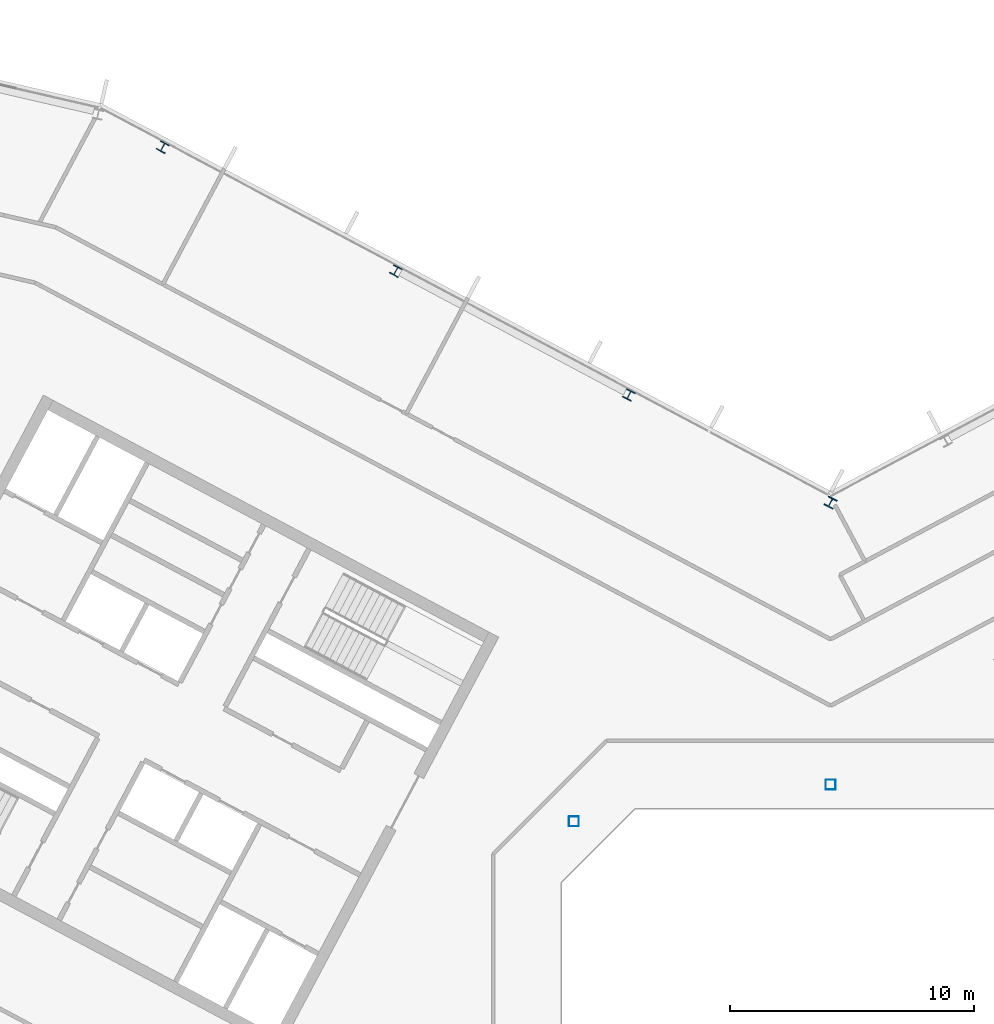
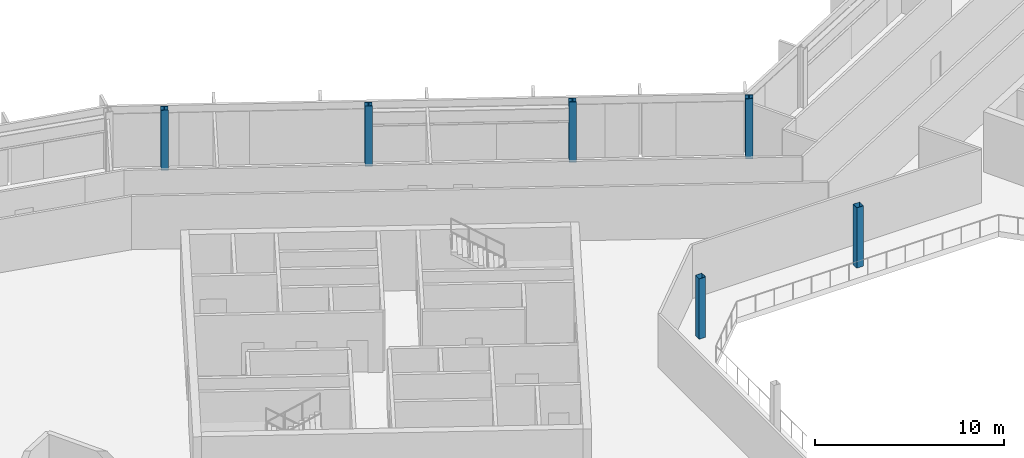
# One storey, part 4 of 26: 6 columns.
"""IFC4 building model written with IfcOpenShell, lengths in metres."""

from ifc_helpers import new_model, si_unit, direction, frame, origin, origin_2d, place, context, subcontext, project, spatial, hollow_rectangle, i_section, extrude, material, material_profile, profile_set, type_object, element, save


model = new_model("IFC4")

# Units and contexts
model_context = context("Model", 3, precision=1e-05, world=origin(), true_north=direction((0.0, 1.0)))
body_context = subcontext(model_context, "Body", "Model", "MODEL_VIEW")
ifc_project = project(units=[si_unit("LENGTHUNIT", "METRE"), si_unit("AREAUNIT", "SQUARE_METRE"), si_unit("VOLUMEUNIT", "CUBIC_METRE"), si_unit("PLANEANGLEUNIT", "RADIAN"), si_unit("MASSUNIT", "GRAM", prefix="KILO")], contexts=[model_context])

# Site, building, storey
site_placement = place(None, origin())
site = spatial("IfcSite", under=ifc_project, at=site_placement, CompositionType="ELEMENT")
building_placement = place(site_placement, origin())
building = spatial("IfcBuilding", under=site, at=building_placement, Name="Cormorant Relay Tower", CompositionType="ELEMENT")
storey_placement = place(building_placement, frame((0.0, 0.0, 316.5)))
storey = spatial("IfcBuildingStorey", under=building, at=storey_placement, Name="L72", CompositionType="ELEMENT", Elevation=316.5)

# Columns
ifc_material_1 = material(Name="Steel ASTM A500 Grade C (Fy 345 MPa)", Category="steel")
ifc_material_profile_1 = material_profile(ifc_material_1, hollow_rectangle(XDim=0.406494140625, YDim=0.406494140625, WallThickness=0.0087890625, InnerFilletRadius=0.00439453125, OuterFilletRadius=0.01318359375, at=origin_2d()), Name="HSS406x406x9")
ifc_profile_set_1 = profile_set([ifc_material_profile_1], Name="Steel ASTM A500 Grade C (Fy 345 MPa)")
column_type_1 = type_object("IfcColumnType", Name="Column HSS406x406x9", PredefinedType="COLUMN", material=ifc_profile_set_1)
for number, where, z_axis, x_axis, name in (
    (1, (-10.5, 10.5, 0.0), (0.0, 0.0, 1.0), (1.0, 0.0, 0.0), "Column L72-023"),
    (2, (0.0, 12.0, 0.0), (0.0, 0.0, 1.0), (1.0, 0.0, 0.0), "Column L72-025"),
):
    element("IfcColumn", number, at=place(storey_placement, frame(where, z_axis=z_axis, x_axis=x_axis)), inside=storey, type_object=column_type_1, Name=name, PredefinedType="COLUMN", context=body_context, shape_type="SweptSolid", body=[
        extrude(hollow_rectangle(XDim=0.406494140625, YDim=0.406494140625, WallThickness=0.0087890625, InnerFilletRadius=0.00439453125, OuterFilletRadius=0.01318359375, at=origin_2d()), origin(), (0.0, 0.0, 1.0), 3.89990234375),
    ])
ifc_material_2 = material(Name="Steel ASTM A992 (Fy 345 MPa)", Category="steel")
ifc_material_profile_2 = material_profile(ifc_material_2, i_section(OverallWidth=0.398681640625, OverallDepth=0.385986328125, WebThickness=0.02099609375, FlangeThickness=0.033203125, FilletRadius=0.01513671875, at=origin_2d()), Name="W360x262")
ifc_profile_set_2 = profile_set([ifc_material_profile_2], Name="Steel ASTM A992 (Fy 345 MPa)")
column_type_2 = type_object("IfcColumnType", Name="Column W360x262", PredefinedType="COLUMN", material=ifc_profile_set_2)
for number, where, z_axis, x_axis, name in (
    (3, (-8.2470703125, 27.943115234375, 0.0), (0.0, 0.0, 1.0), (-0.882947592859, 0.469471562786, 0.0), "Column L72-032"),
    (4, (-17.782958984375, 33.012939453125, 0.0), (0.0, 0.0, 1.0), (-0.882947592859, 0.469471562786, 0.0), "Column L72-036"),
    (5, (-27.319091796875, 38.0830078125, 0.0), (0.0, 0.0, 1.0), (-0.882947592859, 0.469471562786, 0.0), "Column L72-040"),
):
    element("IfcColumn", number, at=place(storey_placement, frame(where, z_axis=z_axis, x_axis=x_axis)), inside=storey, type_object=column_type_2, Name=name, PredefinedType="COLUMN", context=body_context, shape_type="SweptSolid", body=[
        extrude(i_section(OverallWidth=0.398681640625, OverallDepth=0.385986328125, WebThickness=0.02099609375, FlangeThickness=0.033203125, FilletRadius=0.01513671875, at=origin_2d()), origin(), (0.0, 0.0, 1.0), 3.89990234375),
    ])
ifc_material_3 = material(Name="Steel ASTM A992 (Fy 345 MPa)", Category="steel")
ifc_material_profile_3 = material_profile(ifc_material_3, i_section(OverallWidth=0.40380859375, OverallDepth=0.406494140625, WebThickness=0.027099609375, FlangeThickness=0.043701171875, FilletRadius=0.01513671875, at=origin_2d()), Name="W360x347")
ifc_profile_set_3 = profile_set([ifc_material_profile_3], Name="Steel ASTM A992 (Fy 345 MPa)")
column_type_3 = type_object("IfcColumnType", Name="Column W360x347", PredefinedType="COLUMN", material=ifc_profile_set_3)
column_placement = place(storey_placement, frame((0.0, 23.5439453125, 0.0), z_axis=(0.0, 0.0, 1.0), x_axis=(-0.882947592859, 0.469471562786, 0.0)))
element("IfcColumn", 6, at=column_placement, inside=storey, type_object=column_type_3, Name="Column L72-029", PredefinedType="COLUMN", context=body_context, shape_type="SweptSolid", body=[
    extrude(i_section(OverallWidth=0.40380859375, OverallDepth=0.406494140625, WebThickness=0.027099609375, FlangeThickness=0.043701171875, FilletRadius=0.01513671875, at=origin_2d()), origin(), (0.0, 0.0, 1.0), 3.89990234375),
])

save(model, "model.ifc")
